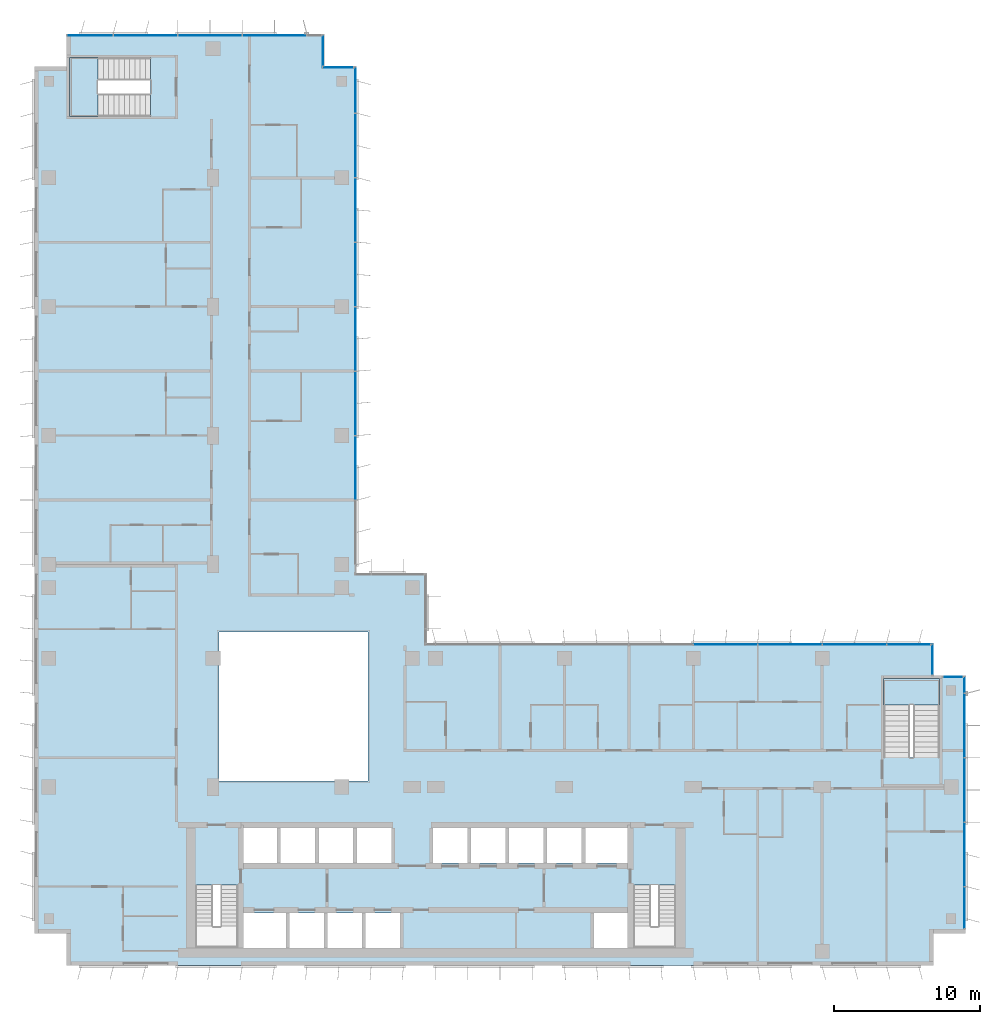
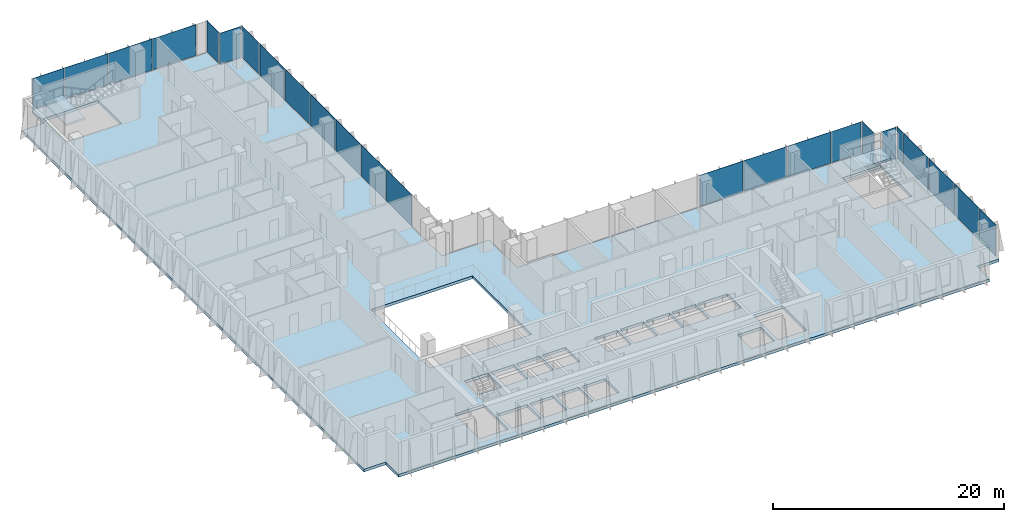
# One storey, part 11 of 21: 24 plates, 3 slabs, 10 elements without a shape of their own.
"""IFC4 building model written with IfcOpenShell, lengths in metres."""

import ifcopenshell
import ifcopenshell.guid

model = None  # the IFC model being written
_history = None  # IfcOwnerHistory: only IFC2X3 demands one
_inside = {}  # id of a spatial element -> (the spatial element, [elements in it])
_under = {}  # id of a project, library or spatial element -> (it, [spatial elements below it])
_declared = {}  # id of a project -> (the project, [libraries it declares])
_typed = {}  # id of a type object -> (the type object, [elements of that type])
_made_of = {}  # id of a material, layer set ... -> (it, [elements and type objects made of it])


def new_model(schema):
    """Start an empty IFC model of exactly this schema.

    Asked for "IFC4X3", IfcOpenShell would pick the latest addendum, in which some entities
    have other attributes; the version numbers below select the first issue.
    IFC2X3 requires an IfcOwnerHistory on every rooted entity: one is made here for all.
    """
    global model, _history
    if schema == "IFC4X3":
        model = ifcopenshell.file(schema_version=(4, 3, 0, 0))
    else:
        model = ifcopenshell.file(schema=schema)
    _inside.clear()
    _under.clear()
    _declared.clear()
    _typed.clear()
    _made_of.clear()
    _history = None
    if model.schema == "IFC2X3":
        org = make("IfcOrganization", Name="unknown")
        user = make(
            "IfcPersonAndOrganization",
            ThePerson=make("IfcPerson", FamilyName="unknown"),
            TheOrganization=org,
        )
        app = make(
            "IfcApplication",
            ApplicationDeveloper=org,
            Version="unknown",
            ApplicationFullName="unknown",
            ApplicationIdentifier="unknown",
        )
        _history = make(
            "IfcOwnerHistory",
            OwningUser=user,
            OwningApplication=app,
            ChangeAction="ADDED",
            CreationDate=0,
        )
    return model


def make(cls, **values):
    """One entity of the class cls with the attributes given. An attribute that is None is left unset."""
    return model.create_entity(
        cls, **{name: value for name, value in values.items() if value is not None}
    )


def rooted(cls, **values):
    """An entity with a GlobalId (a new one), such as an element, a storey or a relation."""
    return make(cls, GlobalId=ifcopenshell.guid.new(), OwnerHistory=_history, **values)


def si_unit(unit_type, name, prefix=None):
    """IfcSIUnit, for example si_unit("LENGTHUNIT", "METRE", prefix="MILLI")."""
    return make("IfcSIUnit", UnitType=unit_type, Prefix=prefix, Name=name)


def assignment(units):
    """IfcUnitAssignment: the units of a project."""
    return None if units is None else make("IfcUnitAssignment", Units=units)


def point(xyz):
    """IfcCartesianPoint."""
    return None if xyz is None else make("IfcCartesianPoint", Coordinates=xyz)


def direction(xyz):
    """IfcDirection."""
    return None if xyz is None else make("IfcDirection", DirectionRatios=xyz)


def frame(location, z_axis=None, x_axis=None):
    """IfcAxis2Placement3D, a coordinate frame: its origin and axes. An axis left out is left unset."""
    return make(
        "IfcAxis2Placement3D",
        Location=point(location),
        Axis=direction(z_axis),
        RefDirection=direction(x_axis),
    )


def frame_2d(location, x_axis=None):
    """IfcAxis2Placement2D, a coordinate frame in the plane: its origin and x axis."""
    return make(
        "IfcAxis2Placement2D", Location=point(location), RefDirection=direction(x_axis)
    )


def origin():
    """The frame at (0, 0, 0) with its axes left unset."""
    return frame((0.0, 0.0, 0.0))


def origin_2d():
    """The frame at (0, 0) in the plane with its x axis left unset."""
    return frame_2d((0.0, 0.0))


def place(relative_to, where):
    """IfcLocalPlacement: puts the frame where relative to a parent placement (None: the world)."""
    return make(
        "IfcLocalPlacement", PlacementRelTo=relative_to, RelativePlacement=where
    )


def context(
    kind, dimensions, precision=None, world=None, true_north=None, identifier=None
):
    """IfcGeometricRepresentationContext, for example the 3D "Model" context."""
    return make(
        "IfcGeometricRepresentationContext",
        ContextIdentifier=identifier,
        ContextType=kind,
        CoordinateSpaceDimension=dimensions,
        Precision=precision,
        WorldCoordinateSystem=world,
        TrueNorth=true_north,
    )


def subcontext(parent, identifier, kind, view, scale=None):
    """IfcGeometricRepresentationSubContext, for example "Body" below "Model"."""
    return make(
        "IfcGeometricRepresentationSubContext",
        ContextIdentifier=identifier,
        ContextType=kind,
        ParentContext=parent,
        TargetScale=scale,
        TargetView=view,
    )


def project(units=None, contexts=None):
    """IfcProject with its units and contexts."""
    return rooted(
        "IfcProject",
        Name="project",
        RepresentationContexts=contexts,
        UnitsInContext=assignment(units),
    )


def spatial(cls, under=None, at=None, **own):
    """A site, building, storey or space (cls), placed at a placement, below another one or the project."""
    s = rooted(cls, ObjectPlacement=at, **own)
    if under is not None:
        _under.setdefault(under.id(), (under, []))[1].append(s)
    return s


def polyline(points):
    """IfcPolyline through the points."""
    return make("IfcPolyline", Points=[point(p) for p in points])


def profile(cls, at=None, kind="AREA", **sizes):
    """A parametric profile (cls). Its sizes go by their IFC names, for example OverallWidth=200.0."""
    return make(cls, ProfileType=kind, Position=at, **sizes)


def rectangle(**sizes):
    """IfcRectangleProfileDef."""
    return profile("IfcRectangleProfileDef", **sizes)


def outline(outer, holes=None, kind="AREA"):
    """IfcArbitraryClosedProfileDef: a profile drawn as a closed curve; with holes, ...WithVoids."""
    if holes is None:
        return make("IfcArbitraryClosedProfileDef", ProfileType=kind, OuterCurve=outer)
    return make(
        "IfcArbitraryProfileDefWithVoids",
        ProfileType=kind,
        OuterCurve=outer,
        InnerCurves=holes,
    )


def extrude(swept, where, along, depth):
    """IfcExtrudedAreaSolid: the profile swept, set in the frame where, extruded along a direction by depth."""
    return make(
        "IfcExtrudedAreaSolid",
        SweptArea=swept,
        Position=where,
        ExtrudedDirection=direction(along),
        Depth=depth,
    )


def shape(context_of_items, identifier, shape_type, items):
    """IfcShapeRepresentation: the items that make up one representation, for example the "Body"."""
    return make(
        "IfcShapeRepresentation",
        ContextOfItems=context_of_items,
        RepresentationIdentifier=identifier,
        RepresentationType=shape_type,
        Items=items,
    )


def source(mapping_origin, context_of_items, identifier, shape_type, items):
    """IfcRepresentationMap: a shape defined once, which mapped items show again and again."""
    return make(
        "IfcRepresentationMap",
        MappingOrigin=mapping_origin,
        MappedRepresentation=shape(context_of_items, identifier, shape_type, items),
    )


def transform(
    local_origin,
    x_axis=None,
    y_axis=None,
    z_axis=None,
    scale=None,
    scale2=None,
    scale3=None,
    uniform=True,
):
    """IfcCartesianTransformationOperator3D, or its non-uniform kind. x_axis, y_axis, z_axis: its Axis1, 2, 3."""
    if uniform:
        return make(
            "IfcCartesianTransformationOperator3D",
            Axis1=direction(x_axis),
            Axis2=direction(y_axis),
            LocalOrigin=point(local_origin),
            Scale=scale,
            Axis3=direction(z_axis),
        )
    return make(
        "IfcCartesianTransformationOperator3DnonUniform",
        Axis1=direction(x_axis),
        Axis2=direction(y_axis),
        LocalOrigin=point(local_origin),
        Scale=scale,
        Axis3=direction(z_axis),
        Scale2=scale2,
        Scale3=scale3,
    )


def mapped(mapping_source, mapping_target):
    """IfcMappedItem: shows the shape of a source again, moved by a transform."""
    return make(
        "IfcMappedItem", MappingSource=mapping_source, MappingTarget=mapping_target
    )


def material(Name=None, Category=None):
    """IfcMaterial."""
    return make("IfcMaterial", Name=Name, Category=Category)


def layer(
    of_material, thickness, ventilated=None, Name=None, Category=None, Priority=None
):
    """IfcMaterialLayer: one layer of a wall or slab, of a material (None: an air gap)."""
    return make(
        "IfcMaterialLayer",
        Material=of_material,
        LayerThickness=thickness,
        IsVentilated=ventilated,
        Name=Name,
        Category=Category,
        Priority=Priority,
    )


def layer_set(layers, Name=None):
    """IfcMaterialLayerSet."""
    return make("IfcMaterialLayerSet", MaterialLayers=layers, LayerSetName=Name)


def made_of(thing, what):
    """Note that an element or type object is made of a material, layer set ...; save() writes the relation."""
    if what is not None:
        _made_of.setdefault(what.id(), (what, []))[1].append(thing)
    return thing


def type_object(cls, material=None, **own):
    """A type object (cls), such as IfcWallType, which elements share."""
    return made_of(rooted(cls, **own), material)


def element(
    cls,
    number,
    at=None,
    inside=None,
    cuts=None,
    type_object=None,
    material=None,
    context=None,
    identifier="Body",
    shape_type=None,
    held_by="IfcProductDefinitionShape",
    body=None,
    shapes=None,
    **own,
):
    """One element of the class cls, such as IfcWall. Its Tag is "e" and its number.

    at: its placement. inside: the storey or other place that contains it. cuts: it is an
    opening in that element (IfcRelVoidsElement). A single representation is given by context,
    identifier, shape_type and body (its items); several are given by shapes. held_by: the class
    of the entity that holds the representations. save() writes the other relations.
    """
    e = rooted(cls, Tag="e%d" % number, ObjectPlacement=at, **own)
    if body is not None:
        shapes = [shape(context, identifier, shape_type, body)]
    if shapes is not None:
        e.Representation = make(held_by, Representations=shapes)
    if inside is not None:
        _inside.setdefault(inside.id(), (inside, []))[1].append(e)
    if cuts is not None:
        rooted(
            "IfcRelVoidsElement", RelatingBuildingElement=cuts, RelatedOpeningElement=e
        )
    if type_object is not None:
        _typed.setdefault(type_object.id(), (type_object, []))[1].append(e)
    return made_of(e, material)


def aggregate(whole, parts):
    """IfcRelAggregates: a whole, such as a stair, and the parts it consists of."""
    return rooted("IfcRelAggregates", RelatingObject=whole, RelatedObjects=parts)


def save(model, path):
    """Write the relations noted so far, then the file.

    IfcRelAggregates (storeys below a building ...), IfcRelContainedInSpatialStructure (elements
    in a storey), IfcRelDefinesByType, IfcRelAssociatesMaterial and IfcRelDeclares: one each for
    every whole, place, type object, material and project.
    """
    for whole, parts in _under.values():
        aggregate(whole, parts)
    for where, things in _inside.values():
        rooted(
            "IfcRelContainedInSpatialStructure",
            RelatedElements=things,
            RelatingStructure=where,
        )
    for kind, things in _typed.values():
        rooted("IfcRelDefinesByType", RelatedObjects=things, RelatingType=kind)
    for what, things in _made_of.values():
        rooted("IfcRelAssociatesMaterial", RelatedObjects=things, RelatingMaterial=what)
    for by, libraries in _declared.values():
        rooted("IfcRelDeclares", RelatingContext=by, RelatedDefinitions=libraries)
    model.write(path)


model = new_model("IFC4")

# Units and contexts
model_context = context("Model", 3, precision=1e-05, world=origin(), true_north=direction((0.0, 1.0)))
body_context = subcontext(model_context, "Body", "Model", "MODEL_VIEW")
ifc_project = project(units=[si_unit("LENGTHUNIT", "METRE"), si_unit("AREAUNIT", "SQUARE_METRE"), si_unit("VOLUMEUNIT", "CUBIC_METRE"), si_unit("PLANEANGLEUNIT", "RADIAN"), si_unit("MASSUNIT", "GRAM", prefix="KILO")], contexts=[model_context])

# Site, building, storey
site_placement = place(None, origin())
site = spatial("IfcSite", under=ifc_project, at=site_placement, CompositionType="ELEMENT")
building_placement = place(site_placement, origin())
building = spatial("IfcBuilding", under=site, at=building_placement, Name="Kemantara Hotel Tower", CompositionType="ELEMENT")
storey_placement = place(building_placement, frame((0.0, 0.0, 208.0)))
storey = spatial("IfcBuildingStorey", under=building, at=storey_placement, Name="L51", CompositionType="ELEMENT", Elevation=208.0)

# Slab
ifc_material_1 = material(Name="Concrete fc 40 MPa", Category="concrete")
ifc_layer_1 = layer(ifc_material_1, 0.300048828125)
ifc_layer_set_1 = layer_set([ifc_layer_1], Name="Concrete fc 40 MPa")
slab_type_1 = type_object("IfcSlabType", Name="POST-TENSIONED FLAT PLATE 300", PredefinedType="FLOOR", material=ifc_layer_set_1)
slab_1_placement = place(storey_placement, frame((0.0, 0.0, -0.300048828125)))
element("IfcSlab", 1, at=slab_1_placement, inside=storey, type_object=slab_type_1, Name="FLOOR SLAB L51", PredefinedType="FLOOR", context=body_context, shape_type="SweptSolid", body=[
    extrude(outline(polyline([(22.0, 26.800048828125), (22.0, 61.39990234375), (19.800048828125, 61.39990234375), (19.800048828125, 63.60009765625), (2.199951171875, 63.60009765625), (2.199951171875, 61.39990234375), (0.0, 61.39990234375), (0.0, 2.199951171875), (2.199951171875, 2.199951171875), (2.199951171875, 0.0), (61.39990234375, 0.0), (61.39990234375, 2.199951171875), (63.60009765625, 2.199951171875), (63.60009765625, 19.800048828125), (61.39990234375, 19.800048828125), (61.39990234375, 22.0), (26.800048828125, 22.0), (26.800048828125, 26.800048828125), (22.0, 26.800048828125)]), holes=[polyline([(17.175048828125, 1.199951171875), (14.22509765625, 1.199951171875), (14.22509765625, 3.60009765625), (17.175048828125, 3.60009765625), (17.175048828125, 1.199951171875)]), polyline([(19.77490234375, 1.199951171875), (17.425048828125, 1.199951171875), (17.425048828125, 3.60009765625), (19.77490234375, 3.60009765625), (19.77490234375, 1.199951171875)]), polyline([(22.375, 1.199951171875), (20.02490234375, 1.199951171875), (20.02490234375, 3.60009765625), (22.375, 3.60009765625), (22.375, 1.199951171875)]), polyline([(11.0, 1.199951171875), (11.0, 5.49951171875), (13.89990234375, 5.49951171875), (13.89990234375, 1.199951171875), (11.0, 1.199951171875)]), polyline([(16.574951171875, 7.0), (14.22509765625, 7.0), (14.22509765625, 9.39990234375), (16.574951171875, 9.39990234375), (16.574951171875, 7.0)]), polyline([(19.175048828125, 7.0), (16.824951171875, 7.0), (16.824951171875, 9.39990234375), (19.175048828125, 9.39990234375), (19.175048828125, 7.0)]), polyline([(21.77490234375, 7.0), (19.425048828125, 7.0), (19.425048828125, 9.39990234375), (21.77490234375, 9.39990234375), (21.77490234375, 7.0)]), polyline([(22.02490234375, 7.0), (22.02490234375, 9.39990234375), (24.375, 9.39990234375), (24.375, 7.0), (22.02490234375, 7.0)]), polyline([(12.60009765625, 12.60009765625), (12.60009765625, 22.800048828125), (22.800048828125, 22.800048828125), (22.800048828125, 12.60009765625), (12.60009765625, 12.60009765625)]), polyline([(2.39990234375, 62.0), (7.949462890625, 62.0), (7.949462890625, 58.0), (2.39990234375, 58.0), (2.39990234375, 62.0)]), polyline([(24.97509765625, 1.199951171875), (22.625, 1.199951171875), (22.625, 3.60009765625), (24.97509765625, 3.60009765625), (24.97509765625, 1.199951171875)]), polyline([(40.574951171875, 1.199951171875), (38.22509765625, 1.199951171875), (38.22509765625, 3.60009765625), (40.574951171875, 3.60009765625), (40.574951171875, 1.199951171875)]), polyline([(40.89990234375, 5.49951171875), (43.800048828125, 5.49951171875), (43.800048828125, 1.199951171875), (40.89990234375, 1.199951171875), (40.89990234375, 5.49951171875)]), polyline([(27.22509765625, 7.0), (27.22509765625, 9.39990234375), (29.574951171875, 9.39990234375), (29.574951171875, 7.0), (27.22509765625, 7.0)]), polyline([(32.175048828125, 7.0), (29.824951171875, 7.0), (29.824951171875, 9.39990234375), (32.175048828125, 9.39990234375), (32.175048828125, 7.0)]), polyline([(34.77490234375, 7.0), (32.425048828125, 7.0), (32.425048828125, 9.39990234375), (34.77490234375, 9.39990234375), (34.77490234375, 7.0)]), polyline([(37.375, 7.0), (35.02490234375, 7.0), (35.02490234375, 9.39990234375), (37.375, 9.39990234375), (37.375, 7.0)]), polyline([(37.625, 7.0), (37.625, 9.39990234375), (40.574951171875, 9.39990234375), (40.574951171875, 7.0), (37.625, 7.0)]), polyline([(61.800048828125, 14.20068359375), (58.0, 14.20068359375), (58.0, 19.60009765625), (61.800048828125, 19.60009765625), (61.800048828125, 14.20068359375)])]), origin(), (0.0, 0.0, 1.0), 0.300048828125),
])

# Stair, slab
stair_type_1 = type_object("IfcStairType", Name="Stair 1800 wide 22 risers of 168 x 360 mm", PredefinedType="HALF_TURN_STAIR", material=ifc_material_1)
stair_1_placement = place(storey_placement, origin())
stair_1 = element("IfcStair", 2, at=stair_1_placement, inside=storey, type_object=stair_type_1, Name="L51 Exit stair ST3", PredefinedType="HALF_TURN_STAIR")
ifc_layer_2 = layer(ifc_material_1, 0.199951171875)
ifc_layer_set_2 = layer_set([ifc_layer_2], Name="Concrete fc 40 MPa")
slab_type_2 = type_object("IfcSlabType", Name="Stair landing 200 mm", PredefinedType="LANDING", material=ifc_layer_set_2)
slab_2_placement = place(storey_placement, frame((0.0, 0.0, 1.64990234375)))
slab_2 = element("IfcSlab", 3, at=slab_2_placement, type_object=slab_type_2, Name="ST3 landing 1", PredefinedType="LANDING", context=body_context, shape_type="SweptSolid", body=[
    extrude(outline(polyline([(61.800048828125, 17.800048828125), (61.800048828125, 19.60009765625), (58.0, 19.60009765625), (58.0, 17.800048828125), (61.800048828125, 17.800048828125)])), origin(), (0.0, 0.0, 1.0), 0.2001953125),
])
aggregate(stair_1, [slab_2])

stair_type_2 = type_object("IfcStairType", Name="Stair 1550 wide 22 risers of 168 x 360 mm", PredefinedType="HALF_TURN_STAIR", material=ifc_material_1)
stair_2_placement = place(storey_placement, origin())
stair_2 = element("IfcStair", 4, at=stair_2_placement, inside=storey, type_object=stair_type_2, Name="L51 Exit stair ST4", PredefinedType="HALF_TURN_STAIR")
slab_3_placement = place(storey_placement, frame((0.0, 0.0, 1.64990234375)))
slab_3 = element("IfcSlab", 5, at=slab_3_placement, type_object=slab_type_2, Name="ST4 landing 1", PredefinedType="LANDING", context=body_context, shape_type="SweptSolid", body=[
    extrude(outline(polyline([(4.35009765625, 62.0), (2.39990234375, 62.0), (2.39990234375, 58.0), (4.35009765625, 58.0), (4.35009765625, 62.0)])), origin(), (0.0, 0.0, 1.0), 0.2001953125),
])
aggregate(stair_2, [slab_3])

# Curtain wall, plate
ifc_material_2 = material(Name="Low-E tinted double insulated glass 36 mm", Category="glass")
curtain_wall_type = type_object("IfcCurtainWallType", Name="TOWER CURTAIN WALL, FRONT FACES", PredefinedType="USERDEFINED", material=ifc_material_2)
curtain_wall_1_placement = place(storey_placement, origin())
curtain_wall_1 = element("IfcCurtainWall", 6, at=curtain_wall_1_placement, inside=storey, type_object=curtain_wall_type, Name="CW4 L51 T3-R11-1", ObjectType="TOWER CURTAIN WALL, FRONT FACES", PredefinedType="USERDEFINED")
ifc_layer_3 = layer(ifc_material_2, 0.035888671875)
ifc_layer_set_3 = layer_set([ifc_layer_3], Name="Low-E tinted double insulated glass 36 mm")
plate_type = type_object("IfcPlateType", Name="TOWER CURTAIN WALL, FRONT FACES PANEL", PredefinedType="CURTAIN_PANEL", material=ifc_layer_set_3)
shared_shape_1 = source(origin(), body_context, "Body", "SweptSolid", [
    extrude(rectangle(XDim=2.81005859375, YDim=0.035888671875, at=origin_2d()), origin(), (0.0, 0.0, 1.0), 3.280029296875),
])
plate_1_placement = place(storey_placement, frame((63.52490234375, 3.965087890625, 0.1201171875), z_axis=(0.0, 0.0, 1.0), x_axis=(0.0, 1.0, 0.0)))
plate_1 = element("IfcPlate", 7, at=plate_1_placement, type_object=plate_type, Name="CW4 glass panel T3-R11-1.1", PredefinedType="CURTAIN_PANEL", context=body_context, shape_type="MappedRepresentation", body=[
    mapped(shared_shape_1, transform((0.0, 0.0, 0.0))),
])

# Curtain wall, plates
curtain_wall_2_placement = place(storey_placement, origin())
curtain_wall_2 = element("IfcCurtainWall", 8, at=curtain_wall_2_placement, inside=storey, type_object=curtain_wall_type, Name="CW4 L51 T3-R02-1", ObjectType="TOWER CURTAIN WALL, FRONT FACES", PredefinedType="USERDEFINED")
shared_shape_2 = source(origin(), body_context, "Body", "SweptSolid", [
    extrude(rectangle(XDim=4.340087890625, YDim=0.035888671875, at=origin_2d()), origin(), (0.0, 0.0, 1.0), 3.280029296875),
])
plate_2_placement = place(storey_placement, frame((16.39990234375, 63.52490234375, 0.1201171875), z_axis=(0.0, 0.0, 1.0), x_axis=(-1.0, 0.0, 0.0)))
plate_2 = element("IfcPlate", 9, at=plate_2_placement, type_object=plate_type, Name="CW4 glass panel T3-R02-1.2", PredefinedType="CURTAIN_PANEL", context=body_context, shape_type="MappedRepresentation", body=[
    mapped(shared_shape_2, transform((0.0, 0.0, 0.0))),
])
plate_3_placement = place(storey_placement, frame((12.0, 63.52490234375, 0.1201171875), z_axis=(0.0, 0.0, 1.0), x_axis=(-1.0, 0.0, 0.0)))
plate_3 = element("IfcPlate", 10, at=plate_3_placement, type_object=plate_type, Name="CW4 glass panel T3-R02-1.3", PredefinedType="CURTAIN_PANEL", context=body_context, shape_type="MappedRepresentation", body=[
    mapped(shared_shape_2, transform((0.0, 0.0, 0.0))),
])
plate_4_placement = place(storey_placement, frame((7.60009765625, 63.52490234375, 0.1201171875), z_axis=(0.0, 0.0, 1.0), x_axis=(-1.0, 0.0, 0.0)))
plate_4 = element("IfcPlate", 11, at=plate_4_placement, type_object=plate_type, Name="CW4 glass panel T3-R02-1.4", PredefinedType="CURTAIN_PANEL", context=body_context, shape_type="MappedRepresentation", body=[
    mapped(shared_shape_2, transform((0.0, 0.0, 0.0))),
])

# Plate
plate_5_placement = place(storey_placement, frame((63.52490234375, 7.60009765625, 0.1201171875), z_axis=(0.0, 0.0, 1.0), x_axis=(0.0, 1.0, 0.0)))
plate_5 = element("IfcPlate", 12, at=plate_5_placement, type_object=plate_type, Name="CW4 glass panel T3-R11-1.2", PredefinedType="CURTAIN_PANEL", context=body_context, shape_type="MappedRepresentation", body=[
    mapped(shared_shape_2, transform((0.0, 0.0, 0.0))),
])

plate_6_placement = place(storey_placement, frame((63.52490234375, 12.0, 0.1201171875), z_axis=(0.0, 0.0, 1.0), x_axis=(0.0, 1.0, 0.0)))
plate_6 = element("IfcPlate", 13, at=plate_6_placement, type_object=plate_type, Name="CW4 glass panel T3-R11-1.3", PredefinedType="CURTAIN_PANEL", context=body_context, shape_type="MappedRepresentation", body=[
    mapped(shared_shape_2, transform((0.0, 0.0, 0.0))),
])

plate_7_placement = place(storey_placement, frame((63.52490234375, 16.39990234375, 0.1201171875), z_axis=(0.0, 0.0, 1.0), x_axis=(0.0, 1.0, 0.0)))
plate_7 = element("IfcPlate", 14, at=plate_7_placement, type_object=plate_type, Name="CW4 glass panel T3-R11-1.4", PredefinedType="CURTAIN_PANEL", context=body_context, shape_type="MappedRepresentation", body=[
    mapped(shared_shape_2, transform((0.0, 0.0, 0.0))),
])

# Curtain wall, plates
curtain_wall_3_placement = place(storey_placement, origin())
curtain_wall_3 = element("IfcCurtainWall", 15, at=curtain_wall_3_placement, inside=storey, type_object=curtain_wall_type, Name="CW4 L51 T3-R14-1", ObjectType="TOWER CURTAIN WALL, FRONT FACES", PredefinedType="USERDEFINED")
plate_8_placement = place(storey_placement, frame((56.0, 21.925048828125, 0.1201171875), z_axis=(0.0, 0.0, 1.0), x_axis=(-1.0, 0.0, 0.0)))
plate_8 = element("IfcPlate", 16, at=plate_8_placement, type_object=plate_type, Name="CW4 glass panel T3-R14-1.2", PredefinedType="CURTAIN_PANEL", context=body_context, shape_type="MappedRepresentation", body=[
    mapped(shared_shape_2, transform((0.0, 0.0, 0.0))),
])
plate_9_placement = place(storey_placement, frame((51.60009765625, 21.925048828125, 0.1201171875), z_axis=(0.0, 0.0, 1.0), x_axis=(-1.0, 0.0, 0.0)))
plate_9 = element("IfcPlate", 17, at=plate_9_placement, type_object=plate_type, Name="CW4 glass panel T3-R14-1.3", PredefinedType="CURTAIN_PANEL", context=body_context, shape_type="MappedRepresentation", body=[
    mapped(shared_shape_2, transform((0.0, 0.0, 0.0))),
])
plate_10_placement = place(storey_placement, frame((47.199951171875, 21.925048828125, 0.1201171875), z_axis=(0.0, 0.0, 1.0), x_axis=(-1.0, 0.0, 0.0)))
plate_10 = element("IfcPlate", 18, at=plate_10_placement, type_object=plate_type, Name="CW4 glass panel T3-R14-1.4", PredefinedType="CURTAIN_PANEL", context=body_context, shape_type="MappedRepresentation", body=[
    mapped(shared_shape_2, transform((0.0, 0.0, 0.0))),
])

curtain_wall_4_placement = place(storey_placement, origin())
curtain_wall_4 = element("IfcCurtainWall", 19, at=curtain_wall_4_placement, inside=storey, type_object=curtain_wall_type, Name="CW4 L51 T3-R17-1", ObjectType="TOWER CURTAIN WALL, FRONT FACES", PredefinedType="USERDEFINED")
plate_11_placement = place(storey_placement, frame((21.925048828125, 34.0, 0.1201171875), z_axis=(0.0, 0.0, 1.0), x_axis=(0.0, 1.0, 0.0)))
plate_11 = element("IfcPlate", 20, at=plate_11_placement, type_object=plate_type, Name="CW4 glass panel T3-R17-1.3", PredefinedType="CURTAIN_PANEL", context=body_context, shape_type="MappedRepresentation", body=[
    mapped(shared_shape_2, transform((0.0, 0.0, 0.0))),
])
plate_12_placement = place(storey_placement, frame((21.925048828125, 38.39990234375, 0.1201171875), z_axis=(0.0, 0.0, 1.0), x_axis=(0.0, 1.0, 0.0)))
plate_12 = element("IfcPlate", 21, at=plate_12_placement, type_object=plate_type, Name="CW4 glass panel T3-R17-1.4", PredefinedType="CURTAIN_PANEL", context=body_context, shape_type="MappedRepresentation", body=[
    mapped(shared_shape_2, transform((0.0, 0.0, 0.0))),
])
plate_13_placement = place(storey_placement, frame((21.925048828125, 42.800048828125, 0.1201171875), z_axis=(0.0, 0.0, 1.0), x_axis=(0.0, 1.0, 0.0)))
plate_13 = element("IfcPlate", 22, at=plate_13_placement, type_object=plate_type, Name="CW4 glass panel T3-R17-1.5", PredefinedType="CURTAIN_PANEL", context=body_context, shape_type="MappedRepresentation", body=[
    mapped(shared_shape_2, transform((0.0, 0.0, 0.0))),
])
plate_14_placement = place(storey_placement, frame((21.925048828125, 47.199951171875, 0.1201171875), z_axis=(0.0, 0.0, 1.0), x_axis=(0.0, 1.0, 0.0)))
plate_14 = element("IfcPlate", 23, at=plate_14_placement, type_object=plate_type, Name="CW4 glass panel T3-R17-1.6", PredefinedType="CURTAIN_PANEL", context=body_context, shape_type="MappedRepresentation", body=[
    mapped(shared_shape_2, transform((0.0, 0.0, 0.0))),
])
plate_15_placement = place(storey_placement, frame((21.925048828125, 51.60009765625, 0.1201171875), z_axis=(0.0, 0.0, 1.0), x_axis=(0.0, 1.0, 0.0)))
plate_15 = element("IfcPlate", 24, at=plate_15_placement, type_object=plate_type, Name="CW4 glass panel T3-R17-1.7", PredefinedType="CURTAIN_PANEL", context=body_context, shape_type="MappedRepresentation", body=[
    mapped(shared_shape_2, transform((0.0, 0.0, 0.0))),
])
plate_16_placement = place(storey_placement, frame((21.925048828125, 56.0, 0.1201171875), z_axis=(0.0, 0.0, 1.0), x_axis=(0.0, 1.0, 0.0)))
plate_16 = element("IfcPlate", 25, at=plate_16_placement, type_object=plate_type, Name="CW4 glass panel T3-R17-1.8", PredefinedType="CURTAIN_PANEL", context=body_context, shape_type="MappedRepresentation", body=[
    mapped(shared_shape_2, transform((0.0, 0.0, 0.0))),
])

# Plate
shared_shape_3 = source(origin(), body_context, "Body", "SweptSolid", [
    extrude(rectangle(XDim=3.110107421875, YDim=0.035888671875, at=origin_2d()), origin(), (0.0, 0.0, 1.0), 3.280029296875),
])
plate_17_placement = place(storey_placement, frame((3.81494140625, 63.52490234375, 0.1201171875), z_axis=(0.0, 0.0, 1.0), x_axis=(-1.0, 0.0, 0.0)))
plate_17 = element("IfcPlate", 26, at=plate_17_placement, type_object=plate_type, Name="CW4 glass panel T3-R02-1.5", PredefinedType="CURTAIN_PANEL", context=body_context, shape_type="MappedRepresentation", body=[
    mapped(shared_shape_3, transform((0.0, 0.0, 0.0))),
])

aggregate(curtain_wall_2, [plate_2, plate_3, plate_4, plate_17])

plate_18_placement = place(storey_placement, frame((21.925048828125, 59.784912109375, 0.1201171875), z_axis=(0.0, 0.0, 1.0), x_axis=(0.0, 1.0, 0.0)))
plate_18 = element("IfcPlate", 27, at=plate_18_placement, type_object=plate_type, Name="CW4 glass panel T3-R17-1.9", PredefinedType="CURTAIN_PANEL", context=body_context, shape_type="MappedRepresentation", body=[
    mapped(shared_shape_3, transform((0.0, 0.0, 0.0))),
])

aggregate(curtain_wall_4, [plate_11, plate_12, plate_13, plate_14, plate_15, plate_16, plate_18])

# Curtain wall, plate
curtain_wall_5_placement = place(storey_placement, origin())
curtain_wall_5 = element("IfcCurtainWall", 28, at=curtain_wall_5_placement, inside=storey, type_object=curtain_wall_type, Name="CW4 L51 T3-R00-1", ObjectType="TOWER CURTAIN WALL, FRONT FACES", PredefinedType="USERDEFINED")
shared_shape_4 = source(origin(), body_context, "Body", "SweptSolid", [
    extrude(rectangle(XDim=2.080078125, YDim=0.035888671875, at=origin_2d()), origin(), (0.0, 0.0, 1.0), 3.280029296875),
])
plate_19_placement = place(storey_placement, frame((20.75, 61.324951171875, 0.1201171875), z_axis=(0.0, 0.0, 1.0), x_axis=(-1.0, 0.0, 0.0)))
plate_19 = element("IfcPlate", 29, at=plate_19_placement, type_object=plate_type, Name="CW4 glass panel T3-R00-1.1", PredefinedType="CURTAIN_PANEL", context=body_context, shape_type="MappedRepresentation", body=[
    mapped(shared_shape_4, transform((0.0, 0.0, 0.0))),
])
aggregate(curtain_wall_5, [plate_19])

curtain_wall_6_placement = place(storey_placement, origin())
curtain_wall_6 = element("IfcCurtainWall", 30, at=curtain_wall_6_placement, inside=storey, type_object=curtain_wall_type, Name="CW4 L51 T3-R01-1", ObjectType="TOWER CURTAIN WALL, FRONT FACES", PredefinedType="USERDEFINED")
plate_20_placement = place(storey_placement, frame((19.72509765625, 62.5, 0.1201171875), z_axis=(0.0, 0.0, 1.0), x_axis=(0.0, 1.0, 0.0)))
plate_20 = element("IfcPlate", 31, at=plate_20_placement, type_object=plate_type, Name="CW4 glass panel T3-R01-1.1", PredefinedType="CURTAIN_PANEL", context=body_context, shape_type="MappedRepresentation", body=[
    mapped(shared_shape_4, transform((0.0, 0.0, 0.0))),
])
aggregate(curtain_wall_6, [plate_20])

curtain_wall_7_placement = place(storey_placement, origin())
curtain_wall_7 = element("IfcCurtainWall", 32, at=curtain_wall_7_placement, inside=storey, type_object=curtain_wall_type, Name="CW4 L51 T3-R13-1", ObjectType="TOWER CURTAIN WALL, FRONT FACES", PredefinedType="USERDEFINED")
plate_21_placement = place(storey_placement, frame((61.324951171875, 20.89990234375, 0.1201171875), z_axis=(0.0, 0.0, 1.0), x_axis=(0.0, 1.0, 0.0)))
plate_21 = element("IfcPlate", 33, at=plate_21_placement, type_object=plate_type, Name="CW4 glass panel T3-R13-1.1", PredefinedType="CURTAIN_PANEL", context=body_context, shape_type="MappedRepresentation", body=[
    mapped(shared_shape_4, transform((0.0, 0.0, 0.0))),
])
aggregate(curtain_wall_7, [plate_21])

# Plate
shared_shape_5 = source(origin(), body_context, "Body", "SweptSolid", [
    extrude(rectangle(XDim=2.9599609375, YDim=0.035888671875, at=origin_2d()), origin(), (0.0, 0.0, 1.0), 3.280029296875),
])
plate_22_placement = place(storey_placement, frame((59.7099609375, 21.925048828125, 0.1201171875), z_axis=(0.0, 0.0, 1.0), x_axis=(-1.0, 0.0, 0.0)))
plate_22 = element("IfcPlate", 34, at=plate_22_placement, type_object=plate_type, Name="CW4 glass panel T3-R14-1.1", PredefinedType="CURTAIN_PANEL", context=body_context, shape_type="MappedRepresentation", body=[
    mapped(shared_shape_5, transform((0.0, 0.0, 0.0))),
])

aggregate(curtain_wall_3, [plate_22, plate_8, plate_9, plate_10])

shared_shape_6 = source(origin(), body_context, "Body", "SweptSolid", [
    extrude(rectangle(XDim=1.110107421875, YDim=0.035888671875, at=origin_2d()), origin(), (0.0, 0.0, 1.0), 3.280029296875),
])
plate_23_placement = place(storey_placement, frame((63.52490234375, 19.18505859375, 0.1201171875), z_axis=(0.0, 0.0, 1.0), x_axis=(0.0, 1.0, 0.0)))
plate_23 = element("IfcPlate", 35, at=plate_23_placement, type_object=plate_type, Name="CW4 glass panel T3-R11-1.5", PredefinedType="CURTAIN_PANEL", context=body_context, shape_type="MappedRepresentation", body=[
    mapped(shared_shape_6, transform((0.0, 0.0, 0.0))),
])

aggregate(curtain_wall_1, [plate_1, plate_5, plate_6, plate_7, plate_23])

# Curtain wall, plate
curtain_wall_8_placement = place(storey_placement, origin())
curtain_wall_8 = element("IfcCurtainWall", 36, at=curtain_wall_8_placement, inside=storey, type_object=curtain_wall_type, Name="CW4 L51 T3-R12-1", ObjectType="TOWER CURTAIN WALL, FRONT FACES", PredefinedType="USERDEFINED")
shared_shape_7 = source(origin(), body_context, "Body", "SweptSolid", [
    extrude(rectangle(XDim=1.330078125, YDim=0.035888671875, at=origin_2d()), origin(), (0.0, 0.0, 1.0), 3.280029296875),
])
plate_24_placement = place(storey_placement, frame((62.72509765625, 19.72509765625, 0.1201171875), z_axis=(0.0, 0.0, 1.0), x_axis=(-1.0, 0.0, 0.0)))
plate_24 = element("IfcPlate", 37, at=plate_24_placement, type_object=plate_type, Name="CW4 glass panel T3-R12-1.1", PredefinedType="CURTAIN_PANEL", context=body_context, shape_type="MappedRepresentation", body=[
    mapped(shared_shape_7, transform((0.0, 0.0, 0.0))),
])
aggregate(curtain_wall_8, [plate_24])

save(model, "model.ifc")
